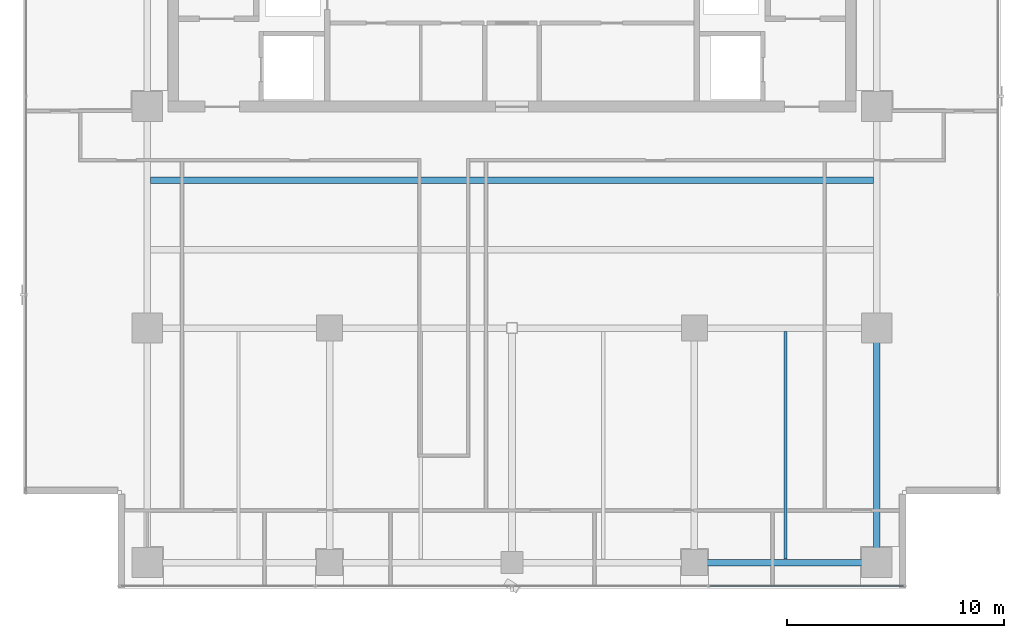
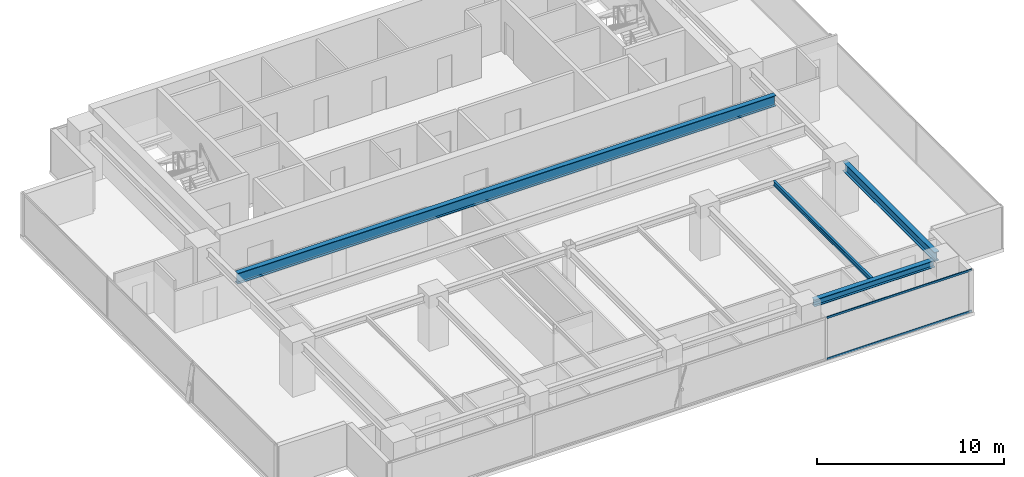
# One storey, part 10 of 25: 4 beams, 2 members, 1 element without a shape of its own.
"""IFC4 building model written with IfcOpenShell, lengths in metres."""

import ifcopenshell
import ifcopenshell.guid

model = None  # the IFC model being written
_history = None  # IfcOwnerHistory: only IFC2X3 demands one
_inside = {}  # id of a spatial element -> (the spatial element, [elements in it])
_under = {}  # id of a project, library or spatial element -> (it, [spatial elements below it])
_declared = {}  # id of a project -> (the project, [libraries it declares])
_typed = {}  # id of a type object -> (the type object, [elements of that type])
_made_of = {}  # id of a material, layer set ... -> (it, [elements and type objects made of it])


def new_model(schema):
    """Start an empty IFC model of exactly this schema.

    Asked for "IFC4X3", IfcOpenShell would pick the latest addendum, in which some entities
    have other attributes; the version numbers below select the first issue.
    IFC2X3 requires an IfcOwnerHistory on every rooted entity: one is made here for all.
    """
    global model, _history
    if schema == "IFC4X3":
        model = ifcopenshell.file(schema_version=(4, 3, 0, 0))
    else:
        model = ifcopenshell.file(schema=schema)
    _inside.clear()
    _under.clear()
    _declared.clear()
    _typed.clear()
    _made_of.clear()
    _history = None
    if model.schema == "IFC2X3":
        org = make("IfcOrganization", Name="unknown")
        user = make(
            "IfcPersonAndOrganization",
            ThePerson=make("IfcPerson", FamilyName="unknown"),
            TheOrganization=org,
        )
        app = make(
            "IfcApplication",
            ApplicationDeveloper=org,
            Version="unknown",
            ApplicationFullName="unknown",
            ApplicationIdentifier="unknown",
        )
        _history = make(
            "IfcOwnerHistory",
            OwningUser=user,
            OwningApplication=app,
            ChangeAction="ADDED",
            CreationDate=0,
        )
    return model


def make(cls, **values):
    """One entity of the class cls with the attributes given. An attribute that is None is left unset."""
    return model.create_entity(
        cls, **{name: value for name, value in values.items() if value is not None}
    )


def rooted(cls, **values):
    """An entity with a GlobalId (a new one), such as an element, a storey or a relation."""
    return make(cls, GlobalId=ifcopenshell.guid.new(), OwnerHistory=_history, **values)


def si_unit(unit_type, name, prefix=None):
    """IfcSIUnit, for example si_unit("LENGTHUNIT", "METRE", prefix="MILLI")."""
    return make("IfcSIUnit", UnitType=unit_type, Prefix=prefix, Name=name)


def assignment(units):
    """IfcUnitAssignment: the units of a project."""
    return None if units is None else make("IfcUnitAssignment", Units=units)


def point(xyz):
    """IfcCartesianPoint."""
    return None if xyz is None else make("IfcCartesianPoint", Coordinates=xyz)


def direction(xyz):
    """IfcDirection."""
    return None if xyz is None else make("IfcDirection", DirectionRatios=xyz)


def frame(location, z_axis=None, x_axis=None):
    """IfcAxis2Placement3D, a coordinate frame: its origin and axes. An axis left out is left unset."""
    return make(
        "IfcAxis2Placement3D",
        Location=point(location),
        Axis=direction(z_axis),
        RefDirection=direction(x_axis),
    )


def frame_2d(location, x_axis=None):
    """IfcAxis2Placement2D, a coordinate frame in the plane: its origin and x axis."""
    return make(
        "IfcAxis2Placement2D", Location=point(location), RefDirection=direction(x_axis)
    )


def origin():
    """The frame at (0, 0, 0) with its axes left unset."""
    return frame((0.0, 0.0, 0.0))


def origin_2d():
    """The frame at (0, 0) in the plane with its x axis left unset."""
    return frame_2d((0.0, 0.0))


def place(relative_to, where):
    """IfcLocalPlacement: puts the frame where relative to a parent placement (None: the world)."""
    return make(
        "IfcLocalPlacement", PlacementRelTo=relative_to, RelativePlacement=where
    )


def context(
    kind, dimensions, precision=None, world=None, true_north=None, identifier=None
):
    """IfcGeometricRepresentationContext, for example the 3D "Model" context."""
    return make(
        "IfcGeometricRepresentationContext",
        ContextIdentifier=identifier,
        ContextType=kind,
        CoordinateSpaceDimension=dimensions,
        Precision=precision,
        WorldCoordinateSystem=world,
        TrueNorth=true_north,
    )


def subcontext(parent, identifier, kind, view, scale=None):
    """IfcGeometricRepresentationSubContext, for example "Body" below "Model"."""
    return make(
        "IfcGeometricRepresentationSubContext",
        ContextIdentifier=identifier,
        ContextType=kind,
        ParentContext=parent,
        TargetScale=scale,
        TargetView=view,
    )


def project(units=None, contexts=None):
    """IfcProject with its units and contexts."""
    return rooted(
        "IfcProject",
        Name="project",
        RepresentationContexts=contexts,
        UnitsInContext=assignment(units),
    )


def spatial(cls, under=None, at=None, **own):
    """A site, building, storey or space (cls), placed at a placement, below another one or the project."""
    s = rooted(cls, ObjectPlacement=at, **own)
    if under is not None:
        _under.setdefault(under.id(), (under, []))[1].append(s)
    return s


def profile(cls, at=None, kind="AREA", **sizes):
    """A parametric profile (cls). Its sizes go by their IFC names, for example OverallWidth=200.0."""
    return make(cls, ProfileType=kind, Position=at, **sizes)


def hollow_rectangle(**sizes):
    """IfcRectangleHollowProfileDef."""
    return profile("IfcRectangleHollowProfileDef", **sizes)


def i_section(**sizes):
    """IfcIShapeProfileDef."""
    return profile("IfcIShapeProfileDef", **sizes)


def extrude(swept, where, along, depth):
    """IfcExtrudedAreaSolid: the profile swept, set in the frame where, extruded along a direction by depth."""
    return make(
        "IfcExtrudedAreaSolid",
        SweptArea=swept,
        Position=where,
        ExtrudedDirection=direction(along),
        Depth=depth,
    )


def shape(context_of_items, identifier, shape_type, items):
    """IfcShapeRepresentation: the items that make up one representation, for example the "Body"."""
    return make(
        "IfcShapeRepresentation",
        ContextOfItems=context_of_items,
        RepresentationIdentifier=identifier,
        RepresentationType=shape_type,
        Items=items,
    )


def source(mapping_origin, context_of_items, identifier, shape_type, items):
    """IfcRepresentationMap: a shape defined once, which mapped items show again and again."""
    return make(
        "IfcRepresentationMap",
        MappingOrigin=mapping_origin,
        MappedRepresentation=shape(context_of_items, identifier, shape_type, items),
    )


def transform(
    local_origin,
    x_axis=None,
    y_axis=None,
    z_axis=None,
    scale=None,
    scale2=None,
    scale3=None,
    uniform=True,
):
    """IfcCartesianTransformationOperator3D, or its non-uniform kind. x_axis, y_axis, z_axis: its Axis1, 2, 3."""
    if uniform:
        return make(
            "IfcCartesianTransformationOperator3D",
            Axis1=direction(x_axis),
            Axis2=direction(y_axis),
            LocalOrigin=point(local_origin),
            Scale=scale,
            Axis3=direction(z_axis),
        )
    return make(
        "IfcCartesianTransformationOperator3DnonUniform",
        Axis1=direction(x_axis),
        Axis2=direction(y_axis),
        LocalOrigin=point(local_origin),
        Scale=scale,
        Axis3=direction(z_axis),
        Scale2=scale2,
        Scale3=scale3,
    )


def mapped(mapping_source, mapping_target):
    """IfcMappedItem: shows the shape of a source again, moved by a transform."""
    return make(
        "IfcMappedItem", MappingSource=mapping_source, MappingTarget=mapping_target
    )


def material(Name=None, Category=None):
    """IfcMaterial."""
    return make("IfcMaterial", Name=Name, Category=Category)


def layer(
    of_material, thickness, ventilated=None, Name=None, Category=None, Priority=None
):
    """IfcMaterialLayer: one layer of a wall or slab, of a material (None: an air gap)."""
    return make(
        "IfcMaterialLayer",
        Material=of_material,
        LayerThickness=thickness,
        IsVentilated=ventilated,
        Name=Name,
        Category=Category,
        Priority=Priority,
    )


def layer_set(layers, Name=None):
    """IfcMaterialLayerSet."""
    return make("IfcMaterialLayerSet", MaterialLayers=layers, LayerSetName=Name)


def material_profile(
    of_material, cross_section, Name=None, Category=None, Priority=None
):
    """IfcMaterialProfile: a cross section and its material."""
    return make(
        "IfcMaterialProfile",
        Name=Name,
        Material=of_material,
        Profile=cross_section,
        Priority=Priority,
        Category=Category,
    )


def profile_set(profiles, Name=None, composite=None):
    """IfcMaterialProfileSet."""
    return make(
        "IfcMaterialProfileSet",
        Name=Name,
        MaterialProfiles=profiles,
        CompositeProfile=composite,
    )


def made_of(thing, what):
    """Note that an element or type object is made of a material, layer set ...; save() writes the relation."""
    if what is not None:
        _made_of.setdefault(what.id(), (what, []))[1].append(thing)
    return thing


def type_object(cls, material=None, **own):
    """A type object (cls), such as IfcWallType, which elements share."""
    return made_of(rooted(cls, **own), material)


def element(
    cls,
    number,
    at=None,
    inside=None,
    cuts=None,
    type_object=None,
    material=None,
    context=None,
    identifier="Body",
    shape_type=None,
    held_by="IfcProductDefinitionShape",
    body=None,
    shapes=None,
    **own,
):
    """One element of the class cls, such as IfcWall. Its Tag is "e" and its number.

    at: its placement. inside: the storey or other place that contains it. cuts: it is an
    opening in that element (IfcRelVoidsElement). A single representation is given by context,
    identifier, shape_type and body (its items); several are given by shapes. held_by: the class
    of the entity that holds the representations. save() writes the other relations.
    """
    e = rooted(cls, Tag="e%d" % number, ObjectPlacement=at, **own)
    if body is not None:
        shapes = [shape(context, identifier, shape_type, body)]
    if shapes is not None:
        e.Representation = make(held_by, Representations=shapes)
    if inside is not None:
        _inside.setdefault(inside.id(), (inside, []))[1].append(e)
    if cuts is not None:
        rooted(
            "IfcRelVoidsElement", RelatingBuildingElement=cuts, RelatedOpeningElement=e
        )
    if type_object is not None:
        _typed.setdefault(type_object.id(), (type_object, []))[1].append(e)
    return made_of(e, material)


def aggregate(whole, parts):
    """IfcRelAggregates: a whole, such as a stair, and the parts it consists of."""
    return rooted("IfcRelAggregates", RelatingObject=whole, RelatedObjects=parts)


def save(model, path):
    """Write the relations noted so far, then the file.

    IfcRelAggregates (storeys below a building ...), IfcRelContainedInSpatialStructure (elements
    in a storey), IfcRelDefinesByType, IfcRelAssociatesMaterial and IfcRelDeclares: one each for
    every whole, place, type object, material and project.
    """
    for whole, parts in _under.values():
        aggregate(whole, parts)
    for where, things in _inside.values():
        rooted(
            "IfcRelContainedInSpatialStructure",
            RelatedElements=things,
            RelatingStructure=where,
        )
    for kind, things in _typed.values():
        rooted("IfcRelDefinesByType", RelatedObjects=things, RelatingType=kind)
    for what, things in _made_of.values():
        rooted("IfcRelAssociatesMaterial", RelatedObjects=things, RelatingMaterial=what)
    for by, libraries in _declared.values():
        rooted("IfcRelDeclares", RelatingContext=by, RelatedDefinitions=libraries)
    model.write(path)


model = new_model("IFC4")

# Units and contexts
model_context = context("Model", 3, precision=1e-05, world=origin(), true_north=direction((0.0, 1.0)))
body_context = subcontext(model_context, "Body", "Model", "MODEL_VIEW")
ifc_project = project(units=[si_unit("LENGTHUNIT", "METRE"), si_unit("AREAUNIT", "SQUARE_METRE"), si_unit("VOLUMEUNIT", "CUBIC_METRE"), si_unit("PLANEANGLEUNIT", "RADIAN"), si_unit("MASSUNIT", "GRAM", prefix="KILO")], contexts=[model_context])

# Site, building, storey
site_placement = place(None, origin())
site = spatial("IfcSite", under=ifc_project, at=site_placement, CompositionType="ELEMENT")
building_placement = place(site_placement, origin())
building = spatial("IfcBuilding", under=site, at=building_placement, Name="Sumidabori Civic Tower", CompositionType="ELEMENT")
storey_placement = place(building_placement, frame((0.0, 0.0, 239.60009765625)))
storey = spatial("IfcBuildingStorey", under=building, at=storey_placement, Name="L62", CompositionType="ELEMENT", Elevation=239.60009765625)

# Beams
ifc_material_1 = material(Name="Steel SN490", Category="steel")
ifc_material_profile_1 = material_profile(ifc_material_1, i_section(OverallWidth=0.300048828125, OverallDepth=0.60009765625, WebThickness=0.015380859375, FlangeThickness=0.030029296875, at=origin_2d()), Name="HE 600 B")
ifc_profile_set_1 = profile_set([ifc_material_profile_1], Name="Steel SN490")
beam_type_1 = type_object("IfcBeamType", Name="BM-GIRD-600", PredefinedType="BEAM", material=ifc_profile_set_1)
shared_shape_1 = source(origin(), body_context, "Body", "SweptSolid", [
    extrude(i_section(OverallWidth=0.300048828125, OverallDepth=0.60009765625, WebThickness=0.015380859375, FlangeThickness=0.030029296875, at=origin_2d()), origin(), (0.0, 0.0, 1.0), 9.840087890625),
])
beam_1_placement = place(storey_placement, frame((16.800048828125, -10.320068359375, 3.06982421875), z_axis=(0.0, 1.0, 0.0), x_axis=(-1.0, 0.0, 0.0)))
element("IfcBeam", 1, at=beam_1_placement, inside=storey, type_object=beam_type_1, Name="Primary Girder L62 GY-15", PredefinedType="BEAM", context=body_context, shape_type="MappedRepresentation", body=[
    mapped(shared_shape_1, transform((0.0, 0.0, 0.0), x_axis=(1.0, 0.0, 0.0), y_axis=(0.0, 1.0, 0.0), z_axis=(0.0, 0.0, 1.0), scale=1.0)),
])
ifc_material_profile_2 = material_profile(ifc_material_1, i_section(OverallWidth=0.300048828125, OverallDepth=0.699951171875, WebThickness=0.01708984375, FlangeThickness=0.031982421875, at=origin_2d()), Name="HE 700 B")
ifc_profile_set_2 = profile_set([ifc_material_profile_2], Name="Steel SN490")
beam_type_2 = type_object("IfcBeamType", Name="BM-GIRD-700", PredefinedType="BEAM", material=ifc_profile_set_2)
shared_shape_2 = source(origin(), body_context, "Body", "SweptSolid", [
    extrude(i_section(OverallWidth=0.300048828125, OverallDepth=0.699951171875, WebThickness=0.01708984375, FlangeThickness=0.031982421875, at=origin_2d()), origin(), (0.0, 0.0, 1.0), 33.2998046875),
])
beam_2_placement = place(storey_placement, frame((-16.64990234375, 6.800048828125, 3.02001953125), z_axis=(1.0, 0.0, 0.0), x_axis=(0.0, 1.0, 0.0)))
element("IfcBeam", 2, at=beam_2_placement, inside=storey, type_object=beam_type_2, Name="North Bay Floor Beam L62 JSTN-19", PredefinedType="BEAM", context=body_context, shape_type="MappedRepresentation", body=[
    mapped(shared_shape_2, transform((0.0, 0.0, 0.0), x_axis=(1.0, 0.0, 0.0), y_axis=(0.0, 1.0, 0.0), z_axis=(0.0, 0.0, 1.0), scale=1.0)),
])
ifc_material_profile_3 = material_profile(ifc_material_1, i_section(OverallWidth=0.300048828125, OverallDepth=0.449951171875, WebThickness=0.013916015625, FlangeThickness=0.02587890625, at=origin_2d()), Name="HE 450 B")
ifc_profile_set_3 = profile_set([ifc_material_profile_3], Name="Steel SN490")
beam_type_3 = type_object("IfcBeamType", Name="BM-GIRD-450", PredefinedType="BEAM", material=ifc_profile_set_3)
shared_shape_3 = source(origin(), body_context, "Body", "SweptSolid", [
    extrude(i_section(OverallWidth=0.300048828125, OverallDepth=0.449951171875, WebThickness=0.013916015625, FlangeThickness=0.02587890625, at=origin_2d()), origin(), (0.0, 0.0, 1.0), 7.440185546875),
])
beam_3_placement = place(storey_placement, frame((8.8798828125, -10.800048828125, 3.14501953125), z_axis=(1.0, 0.0, 0.0), x_axis=(0.0, 1.0, 0.0)))
element("IfcBeam", 3, at=beam_3_placement, inside=storey, type_object=beam_type_3, Name="Primary Girder L62 GX-04", PredefinedType="BEAM", context=body_context, shape_type="MappedRepresentation", body=[
    mapped(shared_shape_3, transform((0.0, 0.0, 0.0), x_axis=(1.0, 0.0, 0.0), y_axis=(0.0, 1.0, 0.0), z_axis=(0.0, 0.0, 1.0), scale=1.0)),
])
ifc_material_profile_4 = material_profile(ifc_material_1, i_section(OverallWidth=0.14990234375, OverallDepth=0.300048828125, WebThickness=0.007080078125, FlangeThickness=0.0107421875, at=origin_2d()), Name="IPE 300")
ifc_profile_set_4 = profile_set([ifc_material_profile_4], Name="Steel SN490")
beam_type_4 = type_object("IfcBeamType", Name="BM-JST-300", PredefinedType="JOIST", material=ifc_profile_set_4)
shared_shape_4 = source(origin(), body_context, "Body", "SweptSolid", [
    extrude(i_section(OverallWidth=0.14990234375, OverallDepth=0.300048828125, WebThickness=0.007080078125, FlangeThickness=0.0107421875, at=origin_2d()), origin(), (0.0, 0.0, 1.0), 10.5),
])
beam_4_placement = place(storey_placement, frame((12.60009765625, -10.64990234375, 3.219970703125), z_axis=(0.0, 1.0, 0.0), x_axis=(-1.0, 0.0, 0.0)))
element("IfcBeam", 4, at=beam_4_placement, inside=storey, type_object=beam_type_4, Name="Upper Lens N-S Floor Joist L62 JSTV-23", PredefinedType="JOIST", context=body_context, shape_type="MappedRepresentation", body=[
    mapped(shared_shape_4, transform((0.0, 0.0, 0.0), x_axis=(1.0, 0.0, 0.0), y_axis=(0.0, 1.0, 0.0), z_axis=(0.0, 0.0, 1.0), scale=1.0)),
])

# Curtain wall, members
ifc_material_2 = material(Name="Anodised Bronze Aluminium AW-6063-T6", Category="aluminium")
ifc_layer = layer(ifc_material_2, 0.179931640625, Name="Anodised Bronze Aluminium AW-6063-T6")
ifc_layer_set = layer_set([ifc_layer], Name="Anodised Bronze Aluminium AW-6063-T6")
curtain_wall_type = type_object("IfcCurtainWallType", Name="CW-SYS-5", PredefinedType="NOTDEFINED", material=ifc_layer_set)
curtain_wall_placement = place(storey_placement, origin())
curtain_wall = element("IfcCurtainWall", 5, at=curtain_wall_placement, inside=storey, type_object=curtain_wall_type, Name="Curtain Wall CW:L62:R01", PredefinedType="NOTDEFINED")
ifc_material_profile_5 = material_profile(ifc_material_2, hollow_rectangle(XDim=0.06005859375, YDim=0.1298828125, WallThickness=0.0048828125, at=origin_2d()), Name="ALU TRANSOM 130x60")
ifc_profile_set_5 = profile_set([ifc_material_profile_5], Name="Anodised Bronze Aluminium AW-6063-T6")
member_type = type_object("IfcMemberType", Name="CW-TRN-130", PredefinedType="USERDEFINED", material=ifc_profile_set_5)
shared_shape_5 = source(origin(), body_context, "Body", "SweptSolid", [
    extrude(hollow_rectangle(XDim=0.06005859375, YDim=0.1298828125, WallThickness=0.0048828125, at=origin_2d()), origin(), (0.0, 0.0, 1.0), 8.969970703125),
])
member_1_placement = place(storey_placement, frame((9.090087890625, -11.8798828125, 0.02978515625), z_axis=(1.0, 0.0, 0.0), x_axis=(0.0, 1.0, 0.0)))
member_1 = element("IfcMember", 6, at=member_1_placement, type_object=member_type, Name="CW-5 transom 4.1", ObjectType="TRANSOM", PredefinedType="USERDEFINED", context=body_context, shape_type="MappedRepresentation", body=[
    mapped(shared_shape_5, transform((0.0, 0.0, 0.0), x_axis=(1.0, 0.0, 0.0), y_axis=(0.0, 1.0, 0.0), z_axis=(0.0, 0.0, 1.0), scale=1.0)),
])
member_2_placement = place(storey_placement, frame((9.090087890625, -11.8798828125, 2.719970703125), z_axis=(1.0, 0.0, 0.0), x_axis=(0.0, 1.0, 0.0)))
member_2 = element("IfcMember", 7, at=member_2_placement, type_object=member_type, Name="CW-5 transom 4.2", ObjectType="TRANSOM", PredefinedType="USERDEFINED", context=body_context, shape_type="MappedRepresentation", body=[
    mapped(shared_shape_5, transform((0.0, 0.0, 0.0), x_axis=(1.0, 0.0, 0.0), y_axis=(0.0, 1.0, 0.0), z_axis=(0.0, 0.0, 1.0), scale=1.0)),
])
aggregate(curtain_wall, [member_1, member_2])

save(model, "model.ifc")
